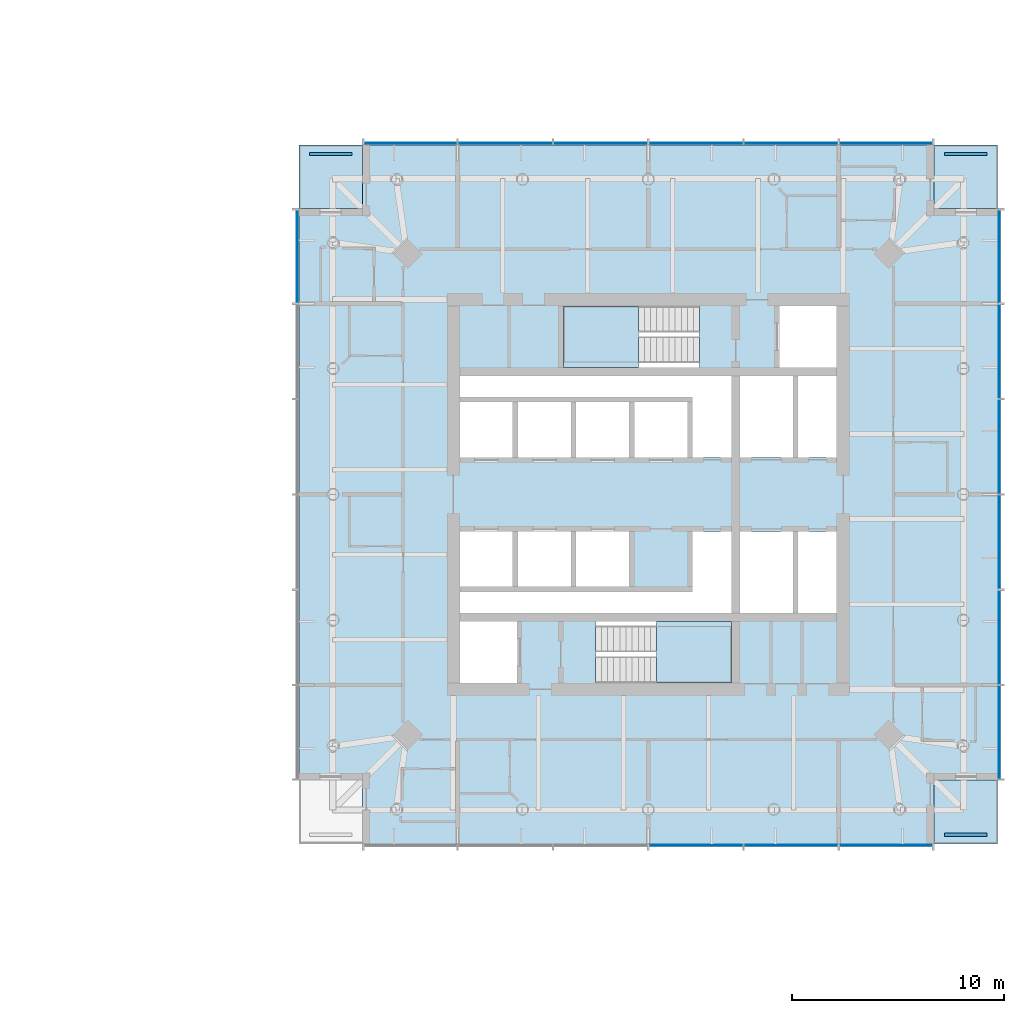
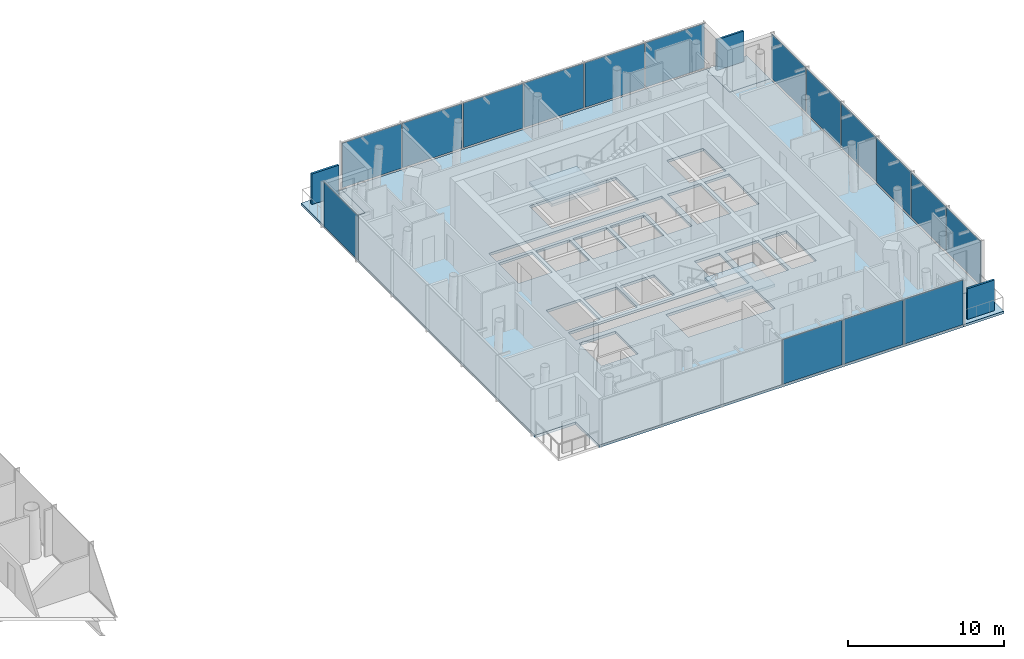
# One storey, part 7 of 19: 19 plates, 6 slabs, 6 elements without a shape of their own.
"""IFC4 building model written with IfcOpenShell, lengths in metres."""

from ifc_helpers import new_model, si_unit, direction, frame, origin, origin_2d, place, context, subcontext, project, spatial, polyline, rectangle, outline, extrude, material, layer, layer_set, type_object, element, aggregate, save


model = new_model("IFC4")

# Units and contexts
model_context = context("Model", 3, precision=1e-05, world=origin(), true_north=direction((0.0, 1.0)))
body_context = subcontext(model_context, "Body", "Model", "MODEL_VIEW")
ifc_project = project(units=[si_unit("LENGTHUNIT", "METRE"), si_unit("AREAUNIT", "SQUARE_METRE"), si_unit("VOLUMEUNIT", "CUBIC_METRE"), si_unit("PLANEANGLEUNIT", "RADIAN"), si_unit("MASSUNIT", "GRAM", prefix="KILO")], contexts=[model_context])

# Site, building, storey
site_placement = place(None, origin())
site = spatial("IfcSite", under=ifc_project, at=site_placement, CompositionType="ELEMENT")
building_placement = place(site_placement, origin())
building = spatial("IfcBuilding", under=site, at=building_placement, Name="Ostroluk Exchange", CompositionType="ELEMENT")
storey_placement = place(building_placement, frame((0.0, 0.0, 116.0)))
storey = spatial("IfcBuildingStorey", under=building, at=storey_placement, Name="L29", CompositionType="ELEMENT", Elevation=116.0)

# Curtain wall, plates
ifc_material_1 = material(Name="Laminated clear glass", Category="glass")
curtain_wall_type = type_object("IfcCurtainWallType", Name="Hotel guest floor facade", PredefinedType="USERDEFINED", material=ifc_material_1)
curtain_wall_1_placement = place(storey_placement, origin())
curtain_wall_1 = element("IfcCurtainWall", 1, at=curtain_wall_1_placement, inside=storey, type_object=curtain_wall_type, Name="Hotel tower south facade L29", ObjectType="UNITISED CURTAIN WALL", PredefinedType="USERDEFINED")
ifc_material_2 = material(Name="Laminated clear glass", Category="glass")
ifc_layer_1 = layer(ifc_material_2, 0.0400390625)
ifc_layer_set_1 = layer_set([ifc_layer_1], Name="Acoustic laminated glazing 40")
plate_type_1 = type_object("IfcPlateType", Name="Acoustic laminated glazing 40", PredefinedType="CURTAIN_PANEL", material=ifc_layer_set_1)
plate_1_placement = place(storey_placement, frame((119.25, 29.425048828125, 0.080078125), z_axis=(0.0, 0.0, 1.0), x_axis=(1.0, 0.0, 0.0)))
plate_1 = element("IfcPlate", 2, at=plate_1_placement, type_object=plate_type_1, Name="CW-H1 panel 4.1", PredefinedType="CURTAIN_PANEL", context=body_context, shape_type="SweptSolid", body=[
    extrude(rectangle(XDim=4.419921875, YDim=0.0400390625, at=origin_2d()), origin(), (0.0, 0.0, 1.0), 3.489990234375),
])
plate_2_placement = place(storey_placement, frame((123.75, 29.425048828125, 0.080078125), z_axis=(0.0, 0.0, 1.0), x_axis=(1.0, 0.0, 0.0)))
plate_2 = element("IfcPlate", 3, at=plate_2_placement, type_object=plate_type_1, Name="CW-H1 panel 5.1", PredefinedType="CURTAIN_PANEL", context=body_context, shape_type="SweptSolid", body=[
    extrude(rectangle(XDim=4.419921875, YDim=0.0400390625, at=origin_2d()), origin(), (0.0, 0.0, 1.0), 3.489990234375),
])
plate_3_placement = place(storey_placement, frame((128.22998046875, 29.425048828125, 0.080078125), z_axis=(0.0, 0.0, 1.0), x_axis=(1.0, 0.0, 0.0)))
plate_3 = element("IfcPlate", 4, at=plate_3_placement, type_object=plate_type_1, Name="CW-H1 panel 6.1", PredefinedType="CURTAIN_PANEL", context=body_context, shape_type="SweptSolid", body=[
    extrude(rectangle(XDim=4.3798828125, YDim=0.0400390625, at=origin_2d()), origin(), (0.0, 0.0, 1.0), 3.489990234375),
])
aggregate(curtain_wall_1, [plate_1, plate_2, plate_3])

curtain_wall_2_placement = place(storey_placement, origin())
curtain_wall_2 = element("IfcCurtainWall", 5, at=curtain_wall_2_placement, inside=storey, type_object=curtain_wall_type, Name="Hotel tower east facade L29", ObjectType="UNITISED CURTAIN WALL", PredefinedType="USERDEFINED")
plate_4_placement = place(storey_placement, frame((133.574951171875, 34.77001953125, 0.080078125), z_axis=(0.0, 0.0, 1.0), x_axis=(0.0, 1.0, 0.0)))
plate_4 = element("IfcPlate", 6, at=plate_4_placement, type_object=plate_type_1, Name="CW-H1 panel 1.1", PredefinedType="CURTAIN_PANEL", context=body_context, shape_type="SweptSolid", body=[
    extrude(rectangle(XDim=4.3798828125, YDim=0.0400390625, at=origin_2d()), origin(), (0.0, 0.0, 1.0), 3.489990234375),
])
plate_5_placement = place(storey_placement, frame((133.574951171875, 39.25, 0.080078125), z_axis=(0.0, 0.0, 1.0), x_axis=(0.0, 1.0, 0.0)))
plate_5 = element("IfcPlate", 7, at=plate_5_placement, type_object=plate_type_1, Name="CW-H1 panel 2.1", PredefinedType="CURTAIN_PANEL", context=body_context, shape_type="SweptSolid", body=[
    extrude(rectangle(XDim=4.419921875, YDim=0.0400390625, at=origin_2d()), origin(), (0.0, 0.0, 1.0), 3.489990234375),
])
plate_6_placement = place(storey_placement, frame((133.574951171875, 43.75, 0.080078125), z_axis=(0.0, 0.0, 1.0), x_axis=(0.0, 1.0, 0.0)))
plate_6 = element("IfcPlate", 8, at=plate_6_placement, type_object=plate_type_1, Name="CW-H1 panel 3.1", PredefinedType="CURTAIN_PANEL", context=body_context, shape_type="SweptSolid", body=[
    extrude(rectangle(XDim=4.419921875, YDim=0.0400390625, at=origin_2d()), origin(), (0.0, 0.0, 1.0), 3.489990234375),
])
plate_7_placement = place(storey_placement, frame((133.574951171875, 48.25, 0.080078125), z_axis=(0.0, 0.0, 1.0), x_axis=(0.0, 1.0, 0.0)))
plate_7 = element("IfcPlate", 9, at=plate_7_placement, type_object=plate_type_1, Name="CW-H1 panel 4.1", PredefinedType="CURTAIN_PANEL", context=body_context, shape_type="SweptSolid", body=[
    extrude(rectangle(XDim=4.419921875, YDim=0.0400390625, at=origin_2d()), origin(), (0.0, 0.0, 1.0), 3.489990234375),
])
plate_8_placement = place(storey_placement, frame((133.574951171875, 52.75, 0.080078125), z_axis=(0.0, 0.0, 1.0), x_axis=(0.0, 1.0, 0.0)))
plate_8 = element("IfcPlate", 10, at=plate_8_placement, type_object=plate_type_1, Name="CW-H1 panel 5.1", PredefinedType="CURTAIN_PANEL", context=body_context, shape_type="SweptSolid", body=[
    extrude(rectangle(XDim=4.419921875, YDim=0.0400390625, at=origin_2d()), origin(), (0.0, 0.0, 1.0), 3.489990234375),
])
plate_9_placement = place(storey_placement, frame((133.574951171875, 57.22998046875, 0.080078125), z_axis=(0.0, 0.0, 1.0), x_axis=(0.0, 1.0, 0.0)))
plate_9 = element("IfcPlate", 11, at=plate_9_placement, type_object=plate_type_1, Name="CW-H1 panel 6.1", PredefinedType="CURTAIN_PANEL", context=body_context, shape_type="SweptSolid", body=[
    extrude(rectangle(XDim=4.3798828125, YDim=0.0400390625, at=origin_2d()), origin(), (0.0, 0.0, 1.0), 3.489990234375),
])
aggregate(curtain_wall_2, [plate_4, plate_5, plate_6, plate_7, plate_8, plate_9])

curtain_wall_3_placement = place(storey_placement, origin())
curtain_wall_3 = element("IfcCurtainWall", 12, at=curtain_wall_3_placement, inside=storey, type_object=curtain_wall_type, Name="Hotel tower north facade L29", ObjectType="UNITISED CURTAIN WALL", PredefinedType="USERDEFINED")
plate_10_placement = place(storey_placement, frame((128.22998046875, 62.574951171875, 0.080078125), z_axis=(0.0, 0.0, 1.0), x_axis=(-1.0, 0.0, 0.0)))
plate_10 = element("IfcPlate", 13, at=plate_10_placement, type_object=plate_type_1, Name="CW-H1 panel 1.1", PredefinedType="CURTAIN_PANEL", context=body_context, shape_type="SweptSolid", body=[
    extrude(rectangle(XDim=4.3798828125, YDim=0.0400390625, at=origin_2d()), origin(), (0.0, 0.0, 1.0), 3.489990234375),
])
plate_11_placement = place(storey_placement, frame((123.75, 62.574951171875, 0.080078125), z_axis=(0.0, 0.0, 1.0), x_axis=(-1.0, 0.0, 0.0)))
plate_11 = element("IfcPlate", 14, at=plate_11_placement, type_object=plate_type_1, Name="CW-H1 panel 2.1", PredefinedType="CURTAIN_PANEL", context=body_context, shape_type="SweptSolid", body=[
    extrude(rectangle(XDim=4.419921875, YDim=0.0400390625, at=origin_2d()), origin(), (0.0, 0.0, 1.0), 3.489990234375),
])
plate_12_placement = place(storey_placement, frame((119.25, 62.574951171875, 0.080078125), z_axis=(0.0, 0.0, 1.0), x_axis=(-1.0, 0.0, 0.0)))
plate_12 = element("IfcPlate", 15, at=plate_12_placement, type_object=plate_type_1, Name="CW-H1 panel 3.1", PredefinedType="CURTAIN_PANEL", context=body_context, shape_type="SweptSolid", body=[
    extrude(rectangle(XDim=4.419921875, YDim=0.0400390625, at=origin_2d()), origin(), (0.0, 0.0, 1.0), 3.489990234375),
])
plate_13_placement = place(storey_placement, frame((114.75, 62.574951171875, 0.080078125), z_axis=(0.0, 0.0, 1.0), x_axis=(-1.0, 0.0, 0.0)))
plate_13 = element("IfcPlate", 16, at=plate_13_placement, type_object=plate_type_1, Name="CW-H1 panel 4.1", PredefinedType="CURTAIN_PANEL", context=body_context, shape_type="SweptSolid", body=[
    extrude(rectangle(XDim=4.419921875, YDim=0.0400390625, at=origin_2d()), origin(), (0.0, 0.0, 1.0), 3.489990234375),
])
plate_14_placement = place(storey_placement, frame((110.25, 62.574951171875, 0.080078125), z_axis=(0.0, 0.0, 1.0), x_axis=(-1.0, 0.0, 0.0)))
plate_14 = element("IfcPlate", 17, at=plate_14_placement, type_object=plate_type_1, Name="CW-H1 panel 5.1", PredefinedType="CURTAIN_PANEL", context=body_context, shape_type="SweptSolid", body=[
    extrude(rectangle(XDim=4.419921875, YDim=0.0400390625, at=origin_2d()), origin(), (0.0, 0.0, 1.0), 3.489990234375),
])
plate_15_placement = place(storey_placement, frame((105.77001953125, 62.574951171875, 0.080078125), z_axis=(0.0, 0.0, 1.0), x_axis=(-1.0, 0.0, 0.0)))
plate_15 = element("IfcPlate", 18, at=plate_15_placement, type_object=plate_type_1, Name="CW-H1 panel 6.1", PredefinedType="CURTAIN_PANEL", context=body_context, shape_type="SweptSolid", body=[
    extrude(rectangle(XDim=4.3798828125, YDim=0.0400390625, at=origin_2d()), origin(), (0.0, 0.0, 1.0), 3.489990234375),
])
aggregate(curtain_wall_3, [plate_10, plate_11, plate_12, plate_13, plate_14, plate_15])

# Curtain wall, plate
curtain_wall_4_placement = place(storey_placement, origin())
curtain_wall_4 = element("IfcCurtainWall", 19, at=curtain_wall_4_placement, inside=storey, type_object=curtain_wall_type, Name="Hotel tower west facade L29", ObjectType="UNITISED CURTAIN WALL", PredefinedType="USERDEFINED")
plate_16_placement = place(storey_placement, frame((100.425048828125, 57.22998046875, 0.080078125), z_axis=(0.0, 0.0, 1.0), x_axis=(0.0, -1.0, 0.0)))
plate_16 = element("IfcPlate", 20, at=plate_16_placement, type_object=plate_type_1, Name="CW-H1 panel 1.1", PredefinedType="CURTAIN_PANEL", context=body_context, shape_type="SweptSolid", body=[
    extrude(rectangle(XDim=4.3798828125, YDim=0.0400390625, at=origin_2d()), origin(), (0.0, 0.0, 1.0), 3.489990234375),
])
aggregate(curtain_wall_4, [plate_16])

# Slabs
ifc_material_3 = material(Name="Concrete C35/45", Category="concrete")
ifc_layer_2 = layer(ifc_material_3, 0.199951171875)
ifc_layer_set_2 = layer_set([ifc_layer_2], Name="Balcony slab 200")
slab_type_1 = type_object("IfcSlabType", Name="Balcony slab 200", PredefinedType="USERDEFINED", material=ifc_layer_set_2)
slab_1_placement = place(storey_placement, frame((0.0, 0.0, -0.199951171875)))
element("IfcSlab", 21, at=slab_1_placement, inside=storey, type_object=slab_type_1, Name="Hotel tower SE corner balcony L29", ObjectType="BALCONY", PredefinedType="USERDEFINED", context=body_context, shape_type="SweptSolid", body=[
    extrude(outline(polyline([(130.5, 29.5), (133.5, 29.5), (133.5, 32.5), (130.5, 32.5), (130.5, 29.5)])), origin(), (0.0, 0.0, 1.0), 0.199951171875),
])
slab_2_placement = place(storey_placement, frame((0.0, 0.0, -0.199951171875)))
element("IfcSlab", 22, at=slab_2_placement, inside=storey, type_object=slab_type_1, Name="Hotel tower NE corner balcony L29", ObjectType="BALCONY", PredefinedType="USERDEFINED", context=body_context, shape_type="SweptSolid", body=[
    extrude(outline(polyline([(130.5, 59.5), (133.5, 59.5), (133.5, 62.5), (130.5, 62.5), (130.5, 59.5)])), origin(), (0.0, 0.0, 1.0), 0.199951171875),
])
slab_3_placement = place(storey_placement, frame((0.0, 0.0, -0.199951171875)))
element("IfcSlab", 23, at=slab_3_placement, inside=storey, type_object=slab_type_1, Name="Hotel tower NW corner balcony L29", ObjectType="BALCONY", PredefinedType="USERDEFINED", context=body_context, shape_type="SweptSolid", body=[
    extrude(outline(polyline([(100.5, 59.5), (103.5, 59.5), (103.5, 62.5), (100.5, 62.5), (100.5, 59.5)])), origin(), (0.0, 0.0, 1.0), 0.199951171875),
])

# Plates
ifc_material_4 = material(Name="Steel S355 trellis with planting", Category="steel")
ifc_layer_3 = layer(ifc_material_4, 0.14990234375)
ifc_layer_set_3 = layer_set([ifc_layer_3], Name="Planted screen 150")
plate_type_2 = type_object("IfcPlateType", Name="Planted screen 150", PredefinedType="USERDEFINED", material=ifc_layer_set_3)
for number, where, z_axis, x_axis, name in (
    (24, (132.0, 29.925048828125, 0.0), (0.0, 0.0, 1.0), (1.0, 0.0, 0.0), "Hotel tower SE planted screen L29"),
    (25, (132.0, 62.074951171875, 0.0), (0.0, 0.0, 1.0), (1.0, 0.0, 0.0), "Hotel tower NE planted screen L29"),
    (26, (102.0, 62.074951171875, 0.0), (0.0, 0.0, 1.0), (1.0, 0.0, 0.0), "Hotel tower NW planted screen L29"),
):
    element("IfcPlate", number, at=place(storey_placement, frame(where, z_axis=z_axis, x_axis=x_axis)), inside=storey, type_object=plate_type_2, Name=name, ObjectType="PLANTED SCREEN", PredefinedType="USERDEFINED", context=body_context, shape_type="SweptSolid", body=[
        extrude(rectangle(XDim=2.0, YDim=0.14990234375, at=origin_2d()), origin(), (0.0, 0.0, 1.0), 2.39990234375),
    ])

# Stair, slab
ifc_material_5 = material(Name="Concrete C30/37", Category="concrete")
stair_type = type_object("IfcStairType", Name="Exit stair half turn 3800", PredefinedType="HALF_TURN_STAIR", material=ifc_material_5)
stair_1_placement = place(storey_placement, origin())
stair_1 = element("IfcStair", 27, at=stair_1_placement, inside=storey, type_object=stair_type, Name="Stair T2-S1 L29", PredefinedType="HALF_TURN_STAIR")
ifc_material_6 = material(Name="Concrete C30/37", Category="concrete")
ifc_layer_4 = layer(ifc_material_6, 0.199951171875)
ifc_layer_set_4 = layer_set([ifc_layer_4], Name="Stair landing 200")
slab_type_2 = type_object("IfcSlabType", Name="Stair landing 200", PredefinedType="LANDING", material=ifc_layer_set_4)
slab_4_placement = place(storey_placement, frame((0.0, 0.0, 1.699951171875)))
slab_4 = element("IfcSlab", 28, at=slab_4_placement, type_object=slab_type_2, Name="T2-S1 landing 1", PredefinedType="LANDING", context=body_context, shape_type="SweptSolid", body=[
    extrude(outline(polyline([(117.39990234375, 37.10009765625), (117.39990234375, 40.0), (120.929931640625, 40.0), (120.929931640625, 37.10009765625), (117.39990234375, 37.10009765625)])), origin(), (0.0, 0.0, 1.0), 0.199951171875),
])
aggregate(stair_1, [slab_4])

stair_2_placement = place(storey_placement, origin())
stair_2 = element("IfcStair", 29, at=stair_2_placement, inside=storey, type_object=stair_type, Name="Stair T2-S2 L29", PredefinedType="HALF_TURN_STAIR")
slab_5_placement = place(storey_placement, frame((0.0, 0.0, 1.699951171875)))
slab_5 = element("IfcSlab", 30, at=slab_5_placement, type_object=slab_type_2, Name="T2-S2 landing 1", PredefinedType="LANDING", context=body_context, shape_type="SweptSolid", body=[
    extrude(outline(polyline([(116.530029296875, 52.0), (116.530029296875, 54.89990234375), (113.0, 54.89990234375), (113.0, 52.0), (116.530029296875, 52.0)])), origin(), (0.0, 0.0, 1.0), 0.199951171875),
])
aggregate(stair_2, [slab_5])

# Slab
ifc_material_7 = material(Name="Concrete C35/45", Category="concrete")
ifc_layer_5 = layer(ifc_material_7, 0.199951171875)
ifc_layer_set_5 = layer_set([ifc_layer_5], Name="Tower floor slab 200 composite")
slab_type_3 = type_object("IfcSlabType", Name="Tower floor slab 200 composite", PredefinedType="FLOOR", material=ifc_layer_set_5)
slab_6_placement = place(storey_placement, frame((0.0, 0.0, -0.199951171875)))
element("IfcSlab", 31, at=slab_6_placement, inside=storey, type_object=slab_type_3, Name="Hotel tower floor slab L29", PredefinedType="FLOOR", context=body_context, shape_type="SweptSolid", body=[
    extrude(outline(polyline([(103.5, 29.5), (130.5, 29.5), (130.5, 32.5), (133.5, 32.5), (133.5, 59.5), (130.5, 59.5), (130.5, 62.5), (103.5, 62.5), (103.5, 59.5), (100.5, 59.5), (100.5, 32.5), (103.5, 32.5), (103.5, 29.5)]), holes=[polyline([(108.10009765625, 37.10009765625), (110.800048828125, 37.10009765625), (110.800048828125, 40.0), (108.10009765625, 40.0), (108.10009765625, 37.10009765625)]), polyline([(114.510009765625, 37.10009765625), (120.929931640625, 37.10009765625), (120.929931640625, 40.0), (114.510009765625, 40.0), (114.510009765625, 37.10009765625)]), polyline([(113.0, 52.0), (119.419921875, 52.0), (119.419921875, 54.89990234375), (113.0, 54.89990234375), (113.0, 52.0)]), polyline([(123.199951171875, 52.0), (125.89990234375, 52.0), (125.89990234375, 54.89990234375), (123.199951171875, 54.89990234375), (123.199951171875, 52.0)]), polyline([(108.10009765625, 47.75), (110.60009765625, 47.75), (110.60009765625, 50.35009765625), (108.10009765625, 50.35009765625), (108.10009765625, 47.75)]), polyline([(110.85009765625, 47.75), (113.35009765625, 47.75), (113.35009765625, 50.35009765625), (110.85009765625, 50.35009765625), (110.85009765625, 47.75)]), polyline([(113.60009765625, 47.75), (116.10009765625, 47.75), (116.10009765625, 50.35009765625), (113.60009765625, 50.35009765625), (113.60009765625, 47.75)]), polyline([(116.35009765625, 47.75), (118.85009765625, 47.75), (118.85009765625, 50.35009765625), (116.35009765625, 50.35009765625), (116.35009765625, 47.75)]), polyline([(108.10009765625, 41.64990234375), (110.60009765625, 41.64990234375), (110.60009765625, 44.25), (108.10009765625, 44.25), (108.10009765625, 41.64990234375)]), polyline([(110.85009765625, 41.64990234375), (113.35009765625, 41.64990234375), (113.35009765625, 44.25), (110.85009765625, 44.25), (110.85009765625, 41.64990234375)]), polyline([(113.60009765625, 41.64990234375), (116.10009765625, 41.64990234375), (116.10009765625, 44.25), (113.60009765625, 44.25), (113.60009765625, 41.64990234375)]), polyline([(121.330078125, 47.75), (123.830078125, 47.75), (123.830078125, 51.60009765625), (121.330078125, 51.60009765625), (121.330078125, 47.75)]), polyline([(121.330078125, 40.39990234375), (123.830078125, 40.39990234375), (123.830078125, 44.25), (121.330078125, 44.25), (121.330078125, 40.39990234375)]), polyline([(120.929931640625, 51.60009765625), (120.929931640625, 47.75), (119.10009765625, 47.75), (119.10009765625, 50.60009765625), (108.10009765625, 50.60009765625), (108.10009765625, 51.60009765625), (120.929931640625, 51.60009765625)]), polyline([(108.10009765625, 40.39990234375), (108.10009765625, 41.39990234375), (119.10009765625, 41.39990234375), (119.10009765625, 44.25), (120.929931640625, 44.25), (120.929931640625, 40.39990234375), (108.10009765625, 40.39990234375)]), polyline([(124.080078125, 47.75), (125.89990234375, 47.75), (125.89990234375, 51.60009765625), (124.080078125, 51.60009765625), (124.080078125, 47.75)]), polyline([(124.080078125, 40.39990234375), (125.89990234375, 40.39990234375), (125.89990234375, 44.25), (124.080078125, 44.25), (124.080078125, 40.39990234375)])]), origin(), (0.0, 0.0, 1.0), 0.199951171875),
])

save(model, "model.ifc")
